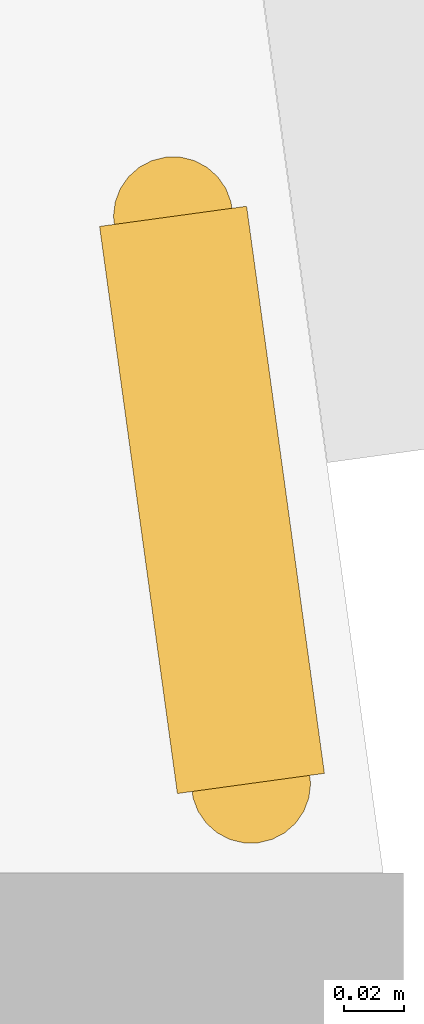
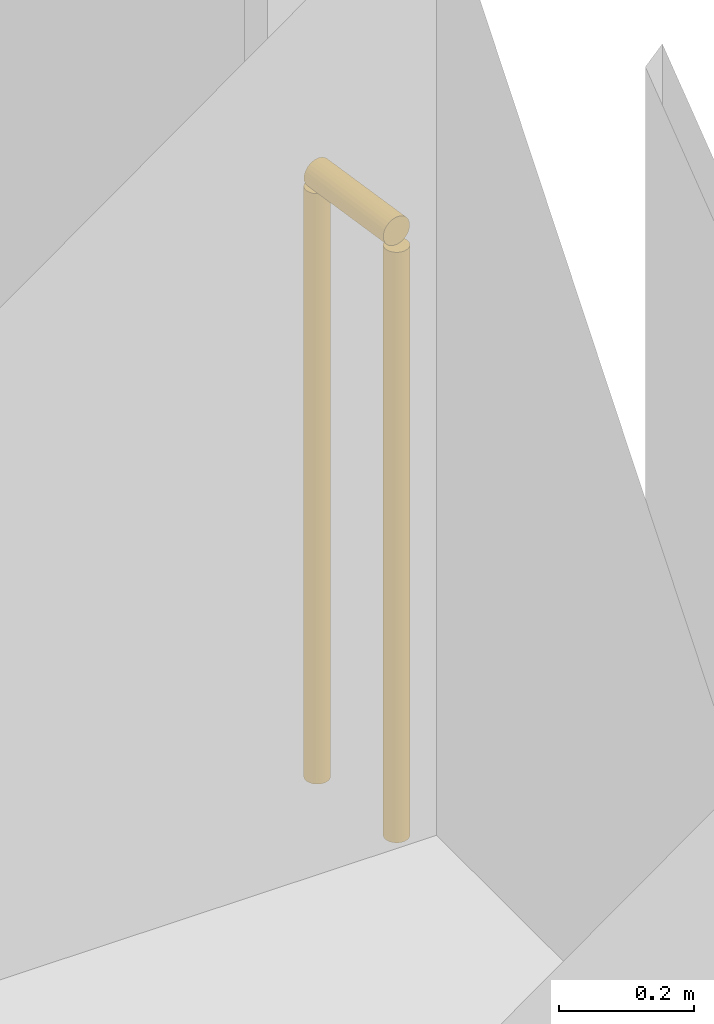
# One storey, part 27 of 27: 1 railing.
"""IFC4 building model written with IfcOpenShell, lengths in metres."""

from ifc_helpers import new_model, si_unit, direction, frame, origin, origin_2d, place, context, subcontext, project, spatial, circle, extrude, material, type_object, element, save


model = new_model("IFC4")

# Units and contexts
model_context = context("Model", 3, precision=1e-05, world=origin(), true_north=direction((0.0, 1.0)))
body_context = subcontext(model_context, "Body", "Model", "MODEL_VIEW")
ifc_project = project(units=[si_unit("LENGTHUNIT", "METRE"), si_unit("AREAUNIT", "SQUARE_METRE"), si_unit("VOLUMEUNIT", "CUBIC_METRE"), si_unit("PLANEANGLEUNIT", "RADIAN"), si_unit("MASSUNIT", "GRAM", prefix="KILO")], contexts=[model_context])

# Site, building, storey
site_placement = place(None, origin())
site = spatial("IfcSite", under=ifc_project, at=site_placement, CompositionType="ELEMENT")
building_placement = place(site_placement, origin())
building = spatial("IfcBuilding", under=site, at=building_placement, Name="Orlundy Tower", CompositionType="ELEMENT")
storey_placement = place(building_placement, frame((0.0, 0.0, 202.60009765625)))
storey = spatial("IfcBuildingStorey", under=building, at=storey_placement, Name="L53", CompositionType="ELEMENT", Elevation=202.60009765625)

# Railing
ifc_material = material(Name="Stainless steel bronze finish", Category="steel")
railing_type = type_object("IfcRailingType", Name="TG1 terrace guard", PredefinedType="GUARDRAIL", material=ifc_material)
railing_placement = place(storey_placement, frame((38.6787109375, 15.718505859375, 0.0)))
element("IfcRailing", 1, at=railing_placement, inside=storey, type_object=railing_type, Name="Guard TG-L53-E02", PredefinedType="GUARDRAIL", context=body_context, shape_type="SweptSolid", body=[
    extrude(circle(Radius=0.02490234375, at=origin_2d()), frame((0.0, 0.0, 1.09521484375), z_axis=(0.135906686825, -0.990721642277, 0.0), x_axis=(0.990721642277, 0.135906686825, 0.0)), (0.0, 0.0, 1.0), 0.192138671875),
    extrude(circle(Radius=0.02001953125, at=origin_2d()), origin(), (0.0, 0.0, 1.0), 1.070068359375),
    extrude(circle(Radius=0.02001953125, at=origin_2d()), frame((0.026123046875, -0.1904296875, 0.0)), (0.0, 0.0, 1.0), 1.070068359375),
])

save(model, "model.ifc")
